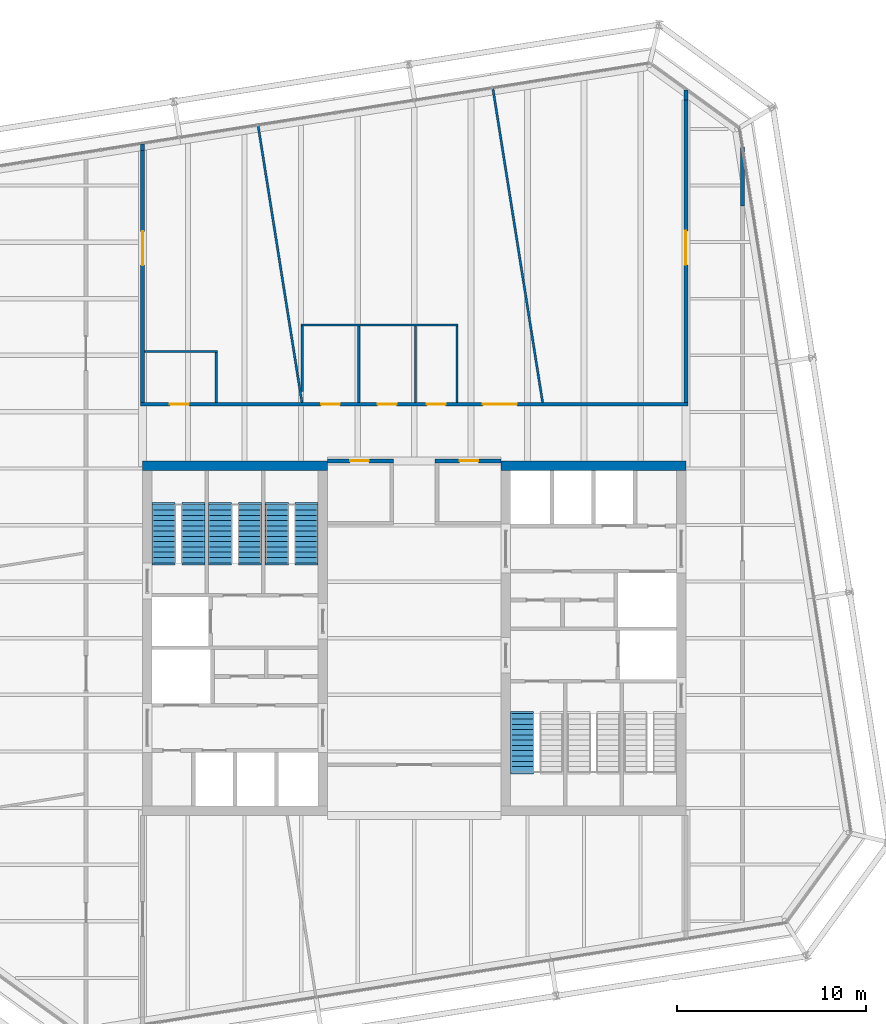
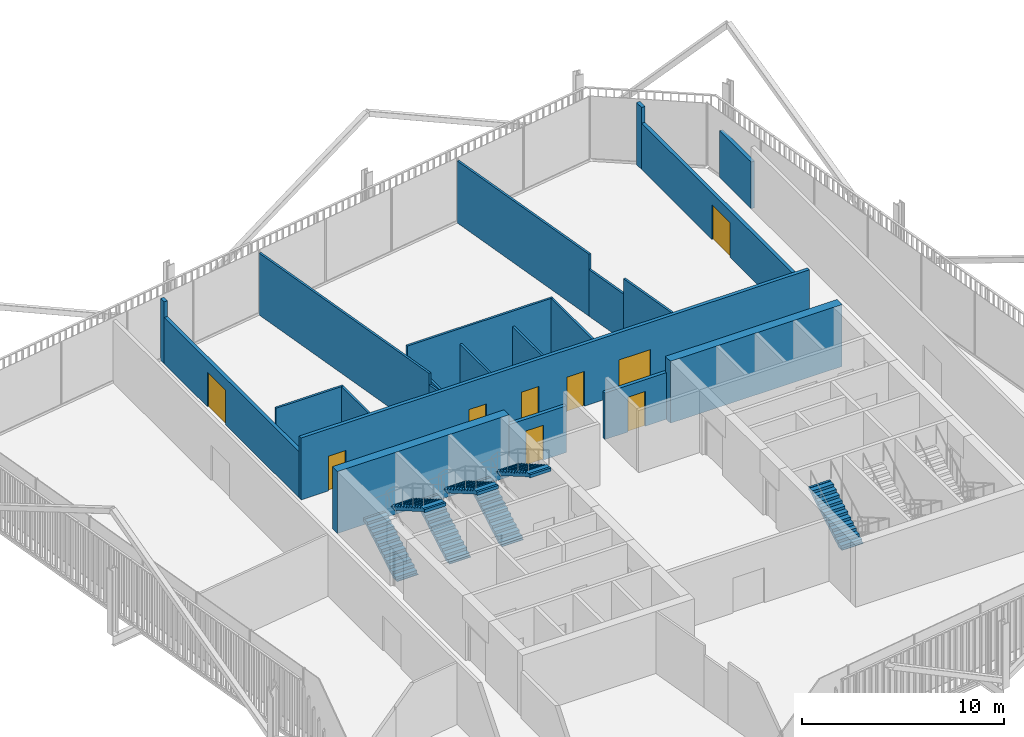
# One storey, part 19 of 21: 22 walls, 9 doors, 7 stair flights, 9 openings, 4 elements without a shape of their own.
"""IFC4 building model written with IfcOpenShell, lengths in metres."""

from ifc_helpers import new_model, si_unit, direction, frame, frame_2d, origin, place, context, subcontext, project, spatial, polyline, rectangle, outline, extrude, material, layer, layer_set, type_object, element, fill, aggregate, save


model = new_model("IFC4")

# Units and contexts
model_context = context("Model", 3, precision=1e-05, world=origin(), true_north=direction((0.0, 1.0)))
body_context = subcontext(model_context, "Body", "Model", "MODEL_VIEW")
ifc_project = project(units=[si_unit("LENGTHUNIT", "METRE"), si_unit("AREAUNIT", "SQUARE_METRE"), si_unit("VOLUMEUNIT", "CUBIC_METRE"), si_unit("PLANEANGLEUNIT", "RADIAN"), si_unit("MASSUNIT", "GRAM", prefix="KILO")], contexts=[model_context])

# Site, building, storey
site_placement = place(None, origin())
site = spatial("IfcSite", under=ifc_project, at=site_placement, CompositionType="ELEMENT")
building_placement = place(site_placement, origin())
building = spatial("IfcBuilding", under=site, at=building_placement, Name="Millrace Tower", CompositionType="ELEMENT")
storey_placement = place(building_placement, frame((0.0, 0.0, 212.5)))
storey = spatial("IfcBuildingStorey", under=building, at=storey_placement, Name="L48", CompositionType="ELEMENT", Elevation=212.5)

# Walls
ifc_material_1 = material(Name="Concrete C60", Category="concrete")
ifc_layer_1 = layer(ifc_material_1, 0.5)
ifc_layer_set_1 = layer_set([ifc_layer_1], Name="Concrete C60")
wall_type_1 = type_object("IfcWallType", Name="Core wall 500 Concrete C60", PredefinedType="SHEAR", material=ifc_layer_set_1)
for number, where, z_axis, x_axis, name in (
    (1, (-14.39990234375, 9.14990234375, 0.0), (0.0, 0.0, 1.0), (1.0, 0.0, 0.0), "Core wall W L48"),
    (2, (14.39990234375, 9.14990234375, 0.0), (0.0, 0.0, 1.0), (-1.0, 0.0, 0.0), "Core wall E L48"),
):
    element("IfcWall", number, at=place(storey_placement, frame(where, z_axis=z_axis, x_axis=x_axis)), inside=storey, type_object=wall_type_1, Name=name, PredefinedType="SHEAR", context=body_context, shape_type="SweptSolid", body=[
        extrude(rectangle(XDim=9.7998046875, YDim=0.5, at=frame_2d((4.89990234375, 0.0))), origin(), (0.0, 0.0, 1.0), 3.739990234375),
    ])

# Wall, opening, door
ifc_material_2 = material(Name="Masonry partition, fire-rated", Category="masonry")
ifc_layer_2 = layer(ifc_material_2, 0.199951171875)
ifc_layer_set_2 = layer_set([ifc_layer_2], Name="Masonry partition, fire-rated")
wall_type_2 = type_object("IfcWallType", Name="Corridor wall 200", PredefinedType="PARTITIONING", material=ifc_layer_set_2)
wall_1_placement = place(storey_placement, frame((-4.60009765625, 9.39990234375, 0.0), z_axis=(0.0, 0.0, 1.0), x_axis=(1.0, 0.0, 0.0)))
wall_1 = element("IfcWall", 3, at=wall_1_placement, inside=storey, type_object=wall_type_2, Name="Corridor wall L48", PredefinedType="PARTITIONING", context=body_context, shape_type="SweptSolid", body=[
    extrude(rectangle(XDim=3.5, YDim=0.199951171875, at=frame_2d((1.75, 0.0))), origin(), (0.0, 0.0, 1.0), 2.81298828125),
])
opening_1_placement = place(wall_1_placement, frame((1.199951171875, 0.0, 0.0)))
opening_1 = element("IfcOpeningElement", 4, at=opening_1_placement, cuts=wall_1, Name="Opening 48-P001", PredefinedType="OPENING", context=body_context, shape_type="SweptSolid", body=[
    extrude(rectangle(XDim=1.0, YDim=2.10009765625, at=frame_2d((0.5, 1.050048828125))), frame((0.0, 0.10986328125, 0.0), z_axis=(0.0, -1.0, 0.0), x_axis=(1.0, 0.0, 0.0)), (0.0, 0.0, 1.0), 0.219970703125),
])
ifc_material_3 = material(Name="Steel door set, fire-rated", Category="steel")
door_type_1 = type_object("IfcDoorType", Name="Corridor door 1000 x 2100", OperationType="SINGLE_SWING_LEFT", PredefinedType="DOOR", material=ifc_material_3)
door_1_placement = place(opening_1_placement, frame((1.0, 0.0, 0.0), z_axis=(0.0, 0.0, 1.0), x_axis=(-1.0, 0.0, 0.0)))
door_1 = element("IfcDoor", 5, at=door_1_placement, inside=storey, type_object=door_type_1, Name="Door 48-P001", OperationType="SINGLE_SWING_LEFT", OverallHeight=2.10009765625, OverallWidth=1.0, PredefinedType="DOOR", context=body_context, shape_type="SweptSolid", body=[
    extrude(rectangle(XDim=1.0, YDim=2.10009765625, at=frame_2d((0.5, 1.050048828125))), frame((0.0, 0.02490234375, 0.0), z_axis=(0.0, -1.0, 0.0), x_axis=(1.0, 0.0, 0.0)), (0.0, 0.0, 1.0), 0.050048828125),
])
fill(opening_1, door_1)

wall_2_placement = place(storey_placement, frame((1.10009765625, 9.39990234375, 0.0), z_axis=(0.0, 0.0, 1.0), x_axis=(1.0, 0.0, 0.0)))
wall_2 = element("IfcWall", 6, at=wall_2_placement, inside=storey, type_object=wall_type_2, Name="Corridor wall L48", PredefinedType="PARTITIONING", context=body_context, shape_type="SweptSolid", body=[
    extrude(rectangle(XDim=3.5, YDim=0.199951171875, at=frame_2d((1.75, 0.0))), origin(), (0.0, 0.0, 1.0), 2.81298828125),
])
opening_2_placement = place(wall_2_placement, frame((1.300048828125, 0.0, 0.0)))
opening_2 = element("IfcOpeningElement", 7, at=opening_2_placement, cuts=wall_2, Name="Opening 48-P002", PredefinedType="OPENING", context=body_context, shape_type="SweptSolid", body=[
    extrude(rectangle(XDim=1.0, YDim=2.10009765625, at=frame_2d((0.5, 1.050048828125))), frame((0.0, 0.10986328125, 0.0), z_axis=(0.0, -1.0, 0.0), x_axis=(1.0, 0.0, 0.0)), (0.0, 0.0, 1.0), 0.219970703125),
])
door_2_placement = place(opening_2_placement, frame((1.0, 0.0, 0.0), z_axis=(0.0, 0.0, 1.0), x_axis=(-1.0, 0.0, 0.0)))
door_2 = element("IfcDoor", 8, at=door_2_placement, inside=storey, type_object=door_type_1, Name="Door 48-P002", OperationType="SINGLE_SWING_LEFT", OverallHeight=2.10009765625, OverallWidth=1.0, PredefinedType="DOOR", context=body_context, shape_type="SweptSolid", body=[
    extrude(rectangle(XDim=1.0, YDim=2.10009765625, at=frame_2d((0.5, 1.050048828125))), frame((0.0, 0.02490234375, 0.0), z_axis=(0.0, -1.0, 0.0), x_axis=(1.0, 0.0, 0.0)), (0.0, 0.0, 1.0), 0.050048828125),
])
fill(opening_2, door_2)

# Wall, openings, doors
wall_3_placement = place(storey_placement, frame((-14.5, 12.39990234375, 0.0), z_axis=(0.0, 0.0, 1.0), x_axis=(1.0, 0.0, 0.0)))
wall_3 = element("IfcWall", 9, at=wall_3_placement, inside=storey, type_object=wall_type_2, Name="Corridor wall L48", PredefinedType="PARTITIONING", context=body_context, shape_type="SweptSolid", body=[
    extrude(rectangle(XDim=29.0, YDim=0.199951171875, at=frame_2d((14.5, 0.0))), origin(), (0.0, 0.0, 1.0), 3.739990234375),
])
opening_3_placement = place(wall_3_placement, frame((1.550048828125, 0.0, 0.0)))
opening_3 = element("IfcOpeningElement", 10, at=opening_3_placement, cuts=wall_3, Name="Opening 48-P007", PredefinedType="OPENING", context=body_context, shape_type="SweptSolid", body=[
    extrude(rectangle(XDim=1.0, YDim=2.10009765625, at=frame_2d((0.5, 1.050048828125))), frame((0.0, 0.10986328125, 0.0), z_axis=(0.0, -1.0, 0.0), x_axis=(1.0, 0.0, 0.0)), (0.0, 0.0, 1.0), 0.219970703125),
])
opening_4_placement = place(wall_3_placement, frame((18.140380859375, 0.0, 0.0)))
opening_4 = element("IfcOpeningElement", 11, at=opening_4_placement, cuts=wall_3, Name="Opening 48-P008", PredefinedType="OPENING", context=body_context, shape_type="SweptSolid", body=[
    extrude(rectangle(XDim=1.800048828125, YDim=2.10009765625, at=frame_2d((0.89990234375, 1.050048828125))), frame((0.0, 0.10986328125, 0.0), z_axis=(0.0, -1.0, 0.0), x_axis=(1.0, 0.0, 0.0)), (0.0, 0.0, 1.0), 0.219970703125),
])
opening_5_placement = place(wall_3_placement, frame((9.56201171875, 0.0, 0.0)))
opening_5 = element("IfcOpeningElement", 12, at=opening_5_placement, cuts=wall_3, Name="Opening 48-P009", PredefinedType="OPENING", context=body_context, shape_type="SweptSolid", body=[
    extrude(rectangle(XDim=1.0, YDim=2.10009765625, at=frame_2d((0.5, 1.050048828125))), frame((0.0, 0.10986328125, 0.0), z_axis=(0.0, -1.0, 0.0), x_axis=(1.0, 0.0, 0.0)), (0.0, 0.0, 1.0), 0.219970703125),
])
opening_6_placement = place(wall_3_placement, frame((12.56201171875, 0.0, 0.0)))
opening_6 = element("IfcOpeningElement", 13, at=opening_6_placement, cuts=wall_3, Name="Opening 48-P010", PredefinedType="OPENING", context=body_context, shape_type="SweptSolid", body=[
    extrude(rectangle(XDim=1.0, YDim=2.10009765625, at=frame_2d((0.5, 1.050048828125))), frame((0.0, 0.10986328125, 0.0), z_axis=(0.0, -1.0, 0.0), x_axis=(1.0, 0.0, 0.0)), (0.0, 0.0, 1.0), 0.219970703125),
])
opening_7_placement = place(wall_3_placement, frame((15.162109375, 0.0, 0.0)))
opening_7 = element("IfcOpeningElement", 14, at=opening_7_placement, cuts=wall_3, Name="Opening 48-P011", PredefinedType="OPENING", context=body_context, shape_type="SweptSolid", body=[
    extrude(rectangle(XDim=1.0, YDim=2.10009765625, at=frame_2d((0.5, 1.050048828125))), frame((0.0, 0.10986328125, 0.0), z_axis=(0.0, -1.0, 0.0), x_axis=(1.0, 0.0, 0.0)), (0.0, 0.0, 1.0), 0.219970703125),
])
door_3_placement = place(opening_3_placement, origin())
door_3 = element("IfcDoor", 15, at=door_3_placement, inside=storey, type_object=door_type_1, Name="Door 48-P007", OperationType="SINGLE_SWING_LEFT", OverallHeight=2.10009765625, OverallWidth=1.0, PredefinedType="DOOR", context=body_context, shape_type="SweptSolid", body=[
    extrude(rectangle(XDim=1.0, YDim=2.10009765625, at=frame_2d((0.5, 1.050048828125))), frame((0.0, 0.02490234375, 0.0), z_axis=(0.0, -1.0, 0.0), x_axis=(1.0, 0.0, 0.0)), (0.0, 0.0, 1.0), 0.050048828125),
])
fill(opening_3, door_3)
door_4_placement = place(opening_5_placement, origin())
door_4 = element("IfcDoor", 16, at=door_4_placement, inside=storey, type_object=door_type_1, Name="Door 48-P009", OperationType="SINGLE_SWING_LEFT", OverallHeight=2.10009765625, OverallWidth=1.0, PredefinedType="DOOR", context=body_context, shape_type="SweptSolid", body=[
    extrude(rectangle(XDim=1.0, YDim=2.10009765625, at=frame_2d((0.5, 1.050048828125))), frame((0.0, 0.02490234375, 0.0), z_axis=(0.0, -1.0, 0.0), x_axis=(1.0, 0.0, 0.0)), (0.0, 0.0, 1.0), 0.050048828125),
])
fill(opening_5, door_4)
door_5_placement = place(opening_6_placement, origin())
door_5 = element("IfcDoor", 17, at=door_5_placement, inside=storey, type_object=door_type_1, Name="Door 48-P010", OperationType="SINGLE_SWING_LEFT", OverallHeight=2.10009765625, OverallWidth=1.0, PredefinedType="DOOR", context=body_context, shape_type="SweptSolid", body=[
    extrude(rectangle(XDim=1.0, YDim=2.10009765625, at=frame_2d((0.5, 1.050048828125))), frame((0.0, 0.02490234375, 0.0), z_axis=(0.0, -1.0, 0.0), x_axis=(1.0, 0.0, 0.0)), (0.0, 0.0, 1.0), 0.050048828125),
])
fill(opening_6, door_5)
door_6_placement = place(opening_7_placement, origin())
door_6 = element("IfcDoor", 18, at=door_6_placement, inside=storey, type_object=door_type_1, Name="Door 48-P011", OperationType="SINGLE_SWING_RIGHT", OverallHeight=2.10009765625, OverallWidth=1.0, PredefinedType="DOOR", context=body_context, shape_type="SweptSolid", body=[
    extrude(rectangle(XDim=1.0, YDim=2.10009765625, at=frame_2d((0.5, 1.050048828125))), frame((0.0, 0.02490234375, 0.0), z_axis=(0.0, -1.0, 0.0), x_axis=(1.0, 0.0, 0.0)), (0.0, 0.0, 1.0), 0.050048828125),
])
fill(opening_7, door_6)
ifc_material_4 = material(Name="Steel door set, fire-rated", Category="steel")
door_type_2 = type_object("IfcDoorType", Name="Corridor door 1800 x 2100", OperationType="DOUBLE_DOOR_SINGLE_SWING", PredefinedType="DOOR", material=ifc_material_4)
door_7_placement = place(opening_4_placement, frame((1.800048828125, 0.0, 0.0), z_axis=(0.0, 0.0, 1.0), x_axis=(-1.0, 0.0, 0.0)))
door_7 = element("IfcDoor", 19, at=door_7_placement, inside=storey, type_object=door_type_2, Name="Door 48-P008", OperationType="DOUBLE_DOOR_SINGLE_SWING", OverallHeight=2.10009765625, OverallWidth=1.800048828125, PredefinedType="DOOR", context=body_context, shape_type="SweptSolid", body=[
    extrude(rectangle(XDim=1.800048828125, YDim=2.10009765625, at=frame_2d((0.89990234375, 1.050048828125))), frame((0.0, 0.02490234375, 0.0), z_axis=(0.0, -1.0, 0.0), x_axis=(1.0, 0.0, 0.0)), (0.0, 0.0, 1.0), 0.050048828125),
])
fill(opening_4, door_7)

# Wall
wall_4_placement = place(storey_placement, frame((17.39990234375, 22.9052734375, 0.0), z_axis=(0.0, 0.0, 1.0), x_axis=(0.0, 1.0, 0.0)))
element("IfcWall", 20, at=wall_4_placement, inside=storey, type_object=wall_type_2, Name="Corridor wall L48", PredefinedType="PARTITIONING", context=body_context, shape_type="SweptSolid", body=[
    extrude(rectangle(XDim=3.137451171875, YDim=0.199951171875, at=frame_2d((1.56884765625, 0.0))), origin(), (0.0, 0.0, 1.0), 2.81298828125),
])

# Wall, opening, door
wall_5_placement = place(storey_placement, frame((14.39990234375, 12.5, 0.0), z_axis=(0.0, 0.0, 1.0), x_axis=(0.0, 1.0, 0.0)))
wall_5 = element("IfcWall", 21, at=wall_5_placement, inside=storey, type_object=wall_type_2, Name="Corridor wall L48", PredefinedType="PARTITIONING", context=body_context, shape_type="SweptSolid", body=[
    extrude(rectangle(XDim=16.040771484375, YDim=0.199951171875, at=frame_2d((8.0205078125, 0.0))), origin(), (0.0, 0.0, 1.0), 2.79248046875),
])
opening_8_placement = place(wall_5_placement, frame((7.298095703125, 0.0, 0.0)))
opening_8 = element("IfcOpeningElement", 22, at=opening_8_placement, cuts=wall_5, Name="Opening 48-P012", PredefinedType="OPENING", context=body_context, shape_type="SweptSolid", body=[
    extrude(rectangle(XDim=1.800048828125, YDim=2.10009765625, at=frame_2d((0.89990234375, 1.050048828125))), frame((0.0, 0.10986328125, 0.0), z_axis=(0.0, -1.0, 0.0), x_axis=(1.0, 0.0, 0.0)), (0.0, 0.0, 1.0), 0.219970703125),
])
door_8_placement = place(opening_8_placement, frame((1.800048828125, 0.0, 0.0), z_axis=(0.0, 0.0, 1.0), x_axis=(-1.0, 0.0, 0.0)))
door_8 = element("IfcDoor", 23, at=door_8_placement, inside=storey, type_object=door_type_2, Name="Door 48-P012", OperationType="DOUBLE_DOOR_SINGLE_SWING", OverallHeight=2.10009765625, OverallWidth=1.800048828125, PredefinedType="DOOR", context=body_context, shape_type="SweptSolid", body=[
    extrude(rectangle(XDim=1.800048828125, YDim=2.10009765625, at=frame_2d((0.89990234375, 1.050048828125))), frame((0.0, 0.02490234375, 0.0), z_axis=(0.0, -1.0, 0.0), x_axis=(1.0, 0.0, 0.0)), (0.0, 0.0, 1.0), 0.050048828125),
])
fill(opening_8, door_8)

# Wall
wall_6_placement = place(storey_placement, frame((14.39990234375, 28.540771484375, 0.0), z_axis=(0.0, 0.0, 1.0), x_axis=(0.0, 1.0, 0.0)))
element("IfcWall", 24, at=wall_6_placement, inside=storey, type_object=wall_type_2, Name="Corridor wall L48", PredefinedType="PARTITIONING", context=body_context, shape_type="SweptSolid", body=[
    extrude(rectangle(XDim=0.51708984375, YDim=0.199951171875, at=frame_2d((0.258544921875, 0.0))), origin(), (0.0, 0.0, 1.0), 3.739990234375),
])

# Wall, opening, door
wall_7_placement = place(storey_placement, frame((-14.39990234375, 12.5, 0.0), z_axis=(0.0, 0.0, 1.0), x_axis=(0.0, 1.0, 0.0)))
wall_7 = element("IfcWall", 25, at=wall_7_placement, inside=storey, type_object=wall_type_2, Name="Corridor wall L48", PredefinedType="PARTITIONING", context=body_context, shape_type="SweptSolid", body=[
    extrude(rectangle(XDim=13.3486328125, YDim=0.199951171875, at=frame_2d((6.67431640625, 0.0))), origin(), (0.0, 0.0, 1.0), 2.79248046875),
])
opening_9_placement = place(wall_7_placement, frame((7.27392578125, 0.0, 0.0)))
opening_9 = element("IfcOpeningElement", 26, at=opening_9_placement, cuts=wall_7, Name="Opening 48-P006", PredefinedType="OPENING", context=body_context, shape_type="SweptSolid", body=[
    extrude(rectangle(XDim=1.800048828125, YDim=2.10009765625, at=frame_2d((0.89990234375, 1.050048828125))), frame((0.0, 0.10986328125, 0.0), z_axis=(0.0, -1.0, 0.0), x_axis=(1.0, 0.0, 0.0)), (0.0, 0.0, 1.0), 0.219970703125),
])
door_9_placement = place(opening_9_placement, frame((1.800048828125, 0.0, 0.0), z_axis=(0.0, 0.0, 1.0), x_axis=(-1.0, 0.0, 0.0)))
door_9 = element("IfcDoor", 27, at=door_9_placement, inside=storey, type_object=door_type_2, Name="Door 48-P006", OperationType="DOUBLE_DOOR_SINGLE_SWING", OverallHeight=2.10009765625, OverallWidth=1.800048828125, PredefinedType="DOOR", context=body_context, shape_type="SweptSolid", body=[
    extrude(rectangle(XDim=1.800048828125, YDim=2.10009765625, at=frame_2d((0.89990234375, 1.050048828125))), frame((0.0, 0.02490234375, 0.0), z_axis=(0.0, -1.0, 0.0), x_axis=(1.0, 0.0, 0.0)), (0.0, 0.0, 1.0), 0.050048828125),
])
fill(opening_9, door_9)

# Walls
wall_8_placement = place(storey_placement, frame((-14.39990234375, 25.8486328125, 0.0), z_axis=(0.0, 0.0, 1.0), x_axis=(0.0, 1.0, 0.0)))
element("IfcWall", 28, at=wall_8_placement, inside=storey, type_object=wall_type_2, Name="Corridor wall L48", PredefinedType="PARTITIONING", context=body_context, shape_type="SweptSolid", body=[
    extrude(rectangle(XDim=0.349609375, YDim=0.199951171875, at=frame_2d((0.1748046875, 0.0))), origin(), (0.0, 0.0, 1.0), 3.739990234375),
])
ifc_material_5 = material(Name="Gypsum board partition")
ifc_layer_3 = layer(ifc_material_5, 0.1201171875)
ifc_layer_set_3 = layer_set([ifc_layer_3], Name="Gypsum board partition")
wall_type_3 = type_object("IfcWallType", Name="Partition wall 120", PredefinedType="PARTITIONING", material=ifc_layer_set_3)
wall_9_placement = place(storey_placement, frame((-8.27685546875, 27.16796875, 0.0), z_axis=(0.0, 0.0, 1.0), x_axis=(0.156426233908, -0.987689644243, 0.0)))
element("IfcWall", 29, at=wall_9_placement, inside=storey, type_object=wall_type_3, Name="Partition wall L48", PredefinedType="PARTITIONING", context=body_context, shape_type="SweptSolid", body=[
    extrude(rectangle(XDim=13.356689453125, YDim=0.1201171875, at=frame_2d((6.67822265625, 0.0))), origin(), (0.0, 0.0, 1.0), 3.739990234375),
])
wall_10_placement = place(storey_placement, frame((-6.1875, 13.9755859375, 0.0), z_axis=(0.0, 0.0, 1.0), x_axis=(0.156423716504, -0.987690042936, 0.0)))
element("IfcWall", 30, at=wall_10_placement, inside=storey, type_object=wall_type_3, Name="Partition wall L48", PredefinedType="PARTITIONING", context=body_context, shape_type="SweptSolid", body=[
    extrude(rectangle(XDim=1.4951171875, YDim=0.1201171875, at=frame_2d((0.74755859375, 0.0))), origin(), (0.0, 0.0, 1.0), 3.046630859375),
])
wall_11_placement = place(storey_placement, frame((4.168212890625, 29.13916015625, 0.0), z_axis=(0.0, 0.0, 1.0), x_axis=(0.156414369749, -0.987691523167, 0.0)))
element("IfcWall", 31, at=wall_11_placement, inside=storey, type_object=wall_type_3, Name="Partition wall L48", PredefinedType="PARTITIONING", context=body_context, shape_type="SweptSolid", body=[
    extrude(rectangle(XDim=10.35009765625, YDim=0.1201171875, at=frame_2d((5.175048828125, 0.0))), origin(), (0.0, 0.0, 1.0), 3.739990234375),
])
wall_12_placement = place(storey_placement, frame((5.787109375, 18.91650390625, 0.0), z_axis=(0.0, 0.0, 1.0), x_axis=(0.156381577148, -0.987696715763, 0.0)))
element("IfcWall", 32, at=wall_12_placement, inside=storey, type_object=wall_type_3, Name="Partition wall L48", PredefinedType="PARTITIONING", context=body_context, shape_type="SweptSolid", body=[
    extrude(rectangle(XDim=2.72265625, YDim=0.1201171875, at=frame_2d((1.361328125, 0.0))), origin(), (0.0, 0.0, 1.0), 2.81298828125),
])
wall_13_placement = place(storey_placement, frame((6.212890625, 16.227294921875, 0.0), z_axis=(0.0, 0.0, 1.0), x_axis=(0.15644410697, -0.987686813415, 0.0)))
element("IfcWall", 33, at=wall_13_placement, inside=storey, type_object=wall_type_3, Name="Partition wall L48", PredefinedType="PARTITIONING", context=body_context, shape_type="SweptSolid", body=[
    extrude(rectangle(XDim=3.77490234375, YDim=0.1201171875, at=frame_2d((1.887451171875, 0.0))), origin(), (0.0, 0.0, 1.0), 3.739990234375),
])
wall_14_placement = place(storey_placement, frame((-14.300048828125, 15.199951171875, 0.0), z_axis=(0.0, 0.0, 1.0), x_axis=(1.0, 0.0, 0.0)))
element("IfcWall", 34, at=wall_14_placement, inside=storey, type_object=wall_type_3, Name="Partition wall L48", PredefinedType="PARTITIONING", context=body_context, shape_type="SweptSolid", body=[
    extrude(rectangle(XDim=3.860107421875, YDim=0.1201171875, at=frame_2d((1.93017578125, 0.0))), origin(), (0.0, 0.0, 1.0), 3.739990234375),
])
wall_15_placement = place(storey_placement, frame((-5.998046875, 16.60009765625, 0.0), z_axis=(0.0, 0.0, 1.0), x_axis=(1.0, 0.0, 0.0)))
element("IfcWall", 35, at=wall_15_placement, inside=storey, type_object=wall_type_3, Name="Partition wall L48", PredefinedType="PARTITIONING", context=body_context, shape_type="SweptSolid", body=[
    extrude(rectangle(XDim=8.320068359375, YDim=0.1201171875, at=frame_2d((4.16015625, 0.0))), origin(), (0.0, 0.0, 1.0), 3.739990234375),
])
wall_16_placement = place(storey_placement, frame((2.261962890625, 12.5, 0.0), z_axis=(0.0, 0.0, 1.0), x_axis=(0.0, 1.0, 0.0)))
element("IfcWall", 36, at=wall_16_placement, inside=storey, type_object=wall_type_3, Name="Partition wall L48", PredefinedType="PARTITIONING", context=body_context, shape_type="SweptSolid", body=[
    extrude(rectangle(XDim=4.0400390625, YDim=0.1201171875, at=frame_2d((2.02001953125, 0.0))), origin(), (0.0, 0.0, 1.0), 3.739990234375),
])
for number, where, z_axis, x_axis, name in (
    (37, (0.06201171875, 12.5, 0.0), (0.0, 0.0, 1.0), (0.0, 1.0, 0.0), "Partition wall L48"),
    (38, (-2.93798828125, 12.5, 0.0), (0.0, 0.0, 1.0), (0.0, 1.0, 0.0), "Partition wall L48"),
):
    element("IfcWall", number, at=place(storey_placement, frame(where, z_axis=z_axis, x_axis=x_axis)), inside=storey, type_object=wall_type_3, Name=name, PredefinedType="PARTITIONING", context=body_context, shape_type="SweptSolid", body=[
        extrude(rectangle(XDim=4.0400390625, YDim=0.1201171875, at=frame_2d((2.02001953125, 0.0))), origin(), (0.0, 0.0, 1.0), 2.81298828125),
    ])
wall_17_placement = place(storey_placement, frame((-5.93798828125, 13.067626953125, 0.0), z_axis=(0.0, 0.0, 1.0), x_axis=(0.0, 1.0, 0.0)))
element("IfcWall", 39, at=wall_17_placement, inside=storey, type_object=wall_type_3, Name="Partition wall L48", PredefinedType="PARTITIONING", context=body_context, shape_type="SweptSolid", body=[
    extrude(rectangle(XDim=3.472412109375, YDim=0.1201171875, at=frame_2d((1.736328125, 0.0))), origin(), (0.0, 0.0, 1.0), 3.046630859375),
])
wall_18_placement = place(storey_placement, frame((-10.5, 12.5, 0.0), z_axis=(0.0, 0.0, 1.0), x_axis=(0.0, 1.0, 0.0)))
element("IfcWall", 40, at=wall_18_placement, inside=storey, type_object=wall_type_3, Name="Partition wall L48", PredefinedType="PARTITIONING", context=body_context, shape_type="SweptSolid", body=[
    extrude(rectangle(XDim=2.639892578125, YDim=0.1201171875, at=frame_2d((1.31982421875, 0.0))), origin(), (0.0, 0.0, 1.0), 3.739990234375),
])

# Stair, stair flights
ifc_material_6 = material(Name="Concrete C35", Category="concrete")
stair_type = type_object("IfcStairType", Name="Exit stair", PredefinedType="HALF_TURN_STAIR", material=ifc_material_6)
placement = place(storey_placement, origin())
stair_1 = element("IfcStair", 41, at=placement, inside=storey, type_object=stair_type, Name="Stair 1 W L48", PredefinedType="HALF_TURN_STAIR")
ifc_material_7 = material(Name="Concrete C35", Category="concrete")
stair_flight_type = type_object("IfcStairFlightType", Name="Exit stair flight", PredefinedType="STRAIGHT", material=ifc_material_7)
stair_flight_1_placement = place(storey_placement, frame((-13.2900390625, 4.0, 0.0), z_axis=(0.0, 0.0, 1.0), x_axis=(0.0, 1.0, 0.0)))
stair_flight_1 = element("IfcStairFlight", 42, at=stair_flight_1_placement, type_object=stair_flight_type, Name="ST12 flight 1", NumberOfRisers=12, NumberOfTreads=11, PredefinedType="STRAIGHT", RiserHeight=0.1625, TreadLength=0.28, context=body_context, shape_type="SweptSolid", body=[
    extrude(outline(polyline([(-0.1201171875, -0.0400390625), (-0.1201171875, 0.0), (0.0, 0.0), (0.0, 0.16259765625), (0.280029296875, 0.16259765625), (0.280029296875, 0.324951171875), (0.56005859375, 0.324951171875), (0.56005859375, 0.487548828125), (0.840087890625, 0.487548828125), (0.840087890625, 0.64990234375), (1.1201171875, 0.64990234375), (1.1201171875, 0.8125), (1.39990234375, 0.8125), (1.39990234375, 0.97509765625), (1.679931640625, 0.97509765625), (1.679931640625, 1.137451171875), (1.9599609375, 1.137451171875), (1.9599609375, 1.300048828125), (2.239990234375, 1.300048828125), (2.239990234375, 1.46240234375), (2.52001953125, 1.46240234375), (2.52001953125, 1.625), (2.800048828125, 1.625), (2.800048828125, 1.78759765625), (3.080078125, 1.78759765625), (3.080078125, 1.8076171875), (3.199951171875, 1.8076171875), (3.199951171875, 1.6142578125), (3.080078125, 1.6142578125), (0.298583984375, 0.0), (0.298583984375, -0.0400390625), (-0.1201171875, -0.0400390625)])), frame((0.0, 0.60986328125, 0.0), z_axis=(0.0, -1.0, 0.0), x_axis=(1.0, 0.0, 0.0)), (0.0, 0.0, 1.0), 1.219970703125),
])
stair_flight_2_placement = place(storey_placement, frame((-11.7099609375, 7.080078125, 1.949951171875), z_axis=(0.0, 0.0, 1.0), x_axis=(0.0, -1.0, 0.0)))
stair_flight_2 = element("IfcStairFlight", 43, at=stair_flight_2_placement, type_object=stair_flight_type, Name="ST12 flight 2", NumberOfRisers=12, NumberOfTreads=11, PredefinedType="STRAIGHT", RiserHeight=0.1625, TreadLength=0.28, context=body_context, shape_type="SweptSolid", body=[
    extrude(outline(polyline([(-0.1201171875, -0.0400390625), (-0.1201171875, 0.0), (0.0, 0.0), (0.0, 0.16259765625), (0.280029296875, 0.16259765625), (0.280029296875, 0.324951171875), (0.56005859375, 0.324951171875), (0.56005859375, 0.487548828125), (0.840087890625, 0.487548828125), (0.840087890625, 0.64990234375), (1.1201171875, 0.64990234375), (1.1201171875, 0.8125), (1.39990234375, 0.8125), (1.39990234375, 0.97509765625), (1.679931640625, 0.97509765625), (1.679931640625, 1.137451171875), (1.9599609375, 1.137451171875), (1.9599609375, 1.300048828125), (2.239990234375, 1.300048828125), (2.239990234375, 1.46240234375), (2.52001953125, 1.46240234375), (2.52001953125, 1.625), (2.800048828125, 1.625), (2.800048828125, 1.78759765625), (3.080078125, 1.78759765625), (3.080078125, 1.8076171875), (3.199951171875, 1.8076171875), (3.199951171875, 1.6142578125), (3.080078125, 1.6142578125), (0.298583984375, 0.0), (0.298583984375, -0.0400390625), (-0.1201171875, -0.0400390625)])), frame((0.0, 0.60986328125, 0.0), z_axis=(0.0, -1.0, 0.0), x_axis=(1.0, 0.0, 0.0)), (0.0, 0.0, 1.0), 1.219970703125),
])
aggregate(stair_1, [stair_flight_1, stair_flight_2])

stair_2 = element("IfcStair", 44, at=placement, inside=storey, type_object=stair_type, Name="Stair 2 W L48", PredefinedType="HALF_TURN_STAIR")
stair_flight_3_placement = place(storey_placement, frame((-10.2900390625, 4.0, 0.0), z_axis=(0.0, 0.0, 1.0), x_axis=(0.0, 1.0, 0.0)))
stair_flight_3 = element("IfcStairFlight", 45, at=stair_flight_3_placement, type_object=stair_flight_type, Name="ST12 flight 1", NumberOfRisers=12, NumberOfTreads=11, PredefinedType="STRAIGHT", RiserHeight=0.1625, TreadLength=0.28, context=body_context, shape_type="SweptSolid", body=[
    extrude(outline(polyline([(-0.1201171875, -0.0400390625), (-0.1201171875, 0.0), (0.0, 0.0), (0.0, 0.16259765625), (0.280029296875, 0.16259765625), (0.280029296875, 0.324951171875), (0.56005859375, 0.324951171875), (0.56005859375, 0.487548828125), (0.840087890625, 0.487548828125), (0.840087890625, 0.64990234375), (1.1201171875, 0.64990234375), (1.1201171875, 0.8125), (1.39990234375, 0.8125), (1.39990234375, 0.97509765625), (1.679931640625, 0.97509765625), (1.679931640625, 1.137451171875), (1.9599609375, 1.137451171875), (1.9599609375, 1.300048828125), (2.239990234375, 1.300048828125), (2.239990234375, 1.46240234375), (2.52001953125, 1.46240234375), (2.52001953125, 1.625), (2.800048828125, 1.625), (2.800048828125, 1.78759765625), (3.080078125, 1.78759765625), (3.080078125, 1.8076171875), (3.199951171875, 1.8076171875), (3.199951171875, 1.6142578125), (3.080078125, 1.6142578125), (0.298583984375, 0.0), (0.298583984375, -0.0400390625), (-0.1201171875, -0.0400390625)])), frame((0.0, 0.60986328125, 0.0), z_axis=(0.0, -1.0, 0.0), x_axis=(1.0, 0.0, 0.0)), (0.0, 0.0, 1.0), 1.219970703125),
])
stair_flight_4_placement = place(storey_placement, frame((-8.7099609375, 7.080078125, 1.949951171875), z_axis=(0.0, 0.0, 1.0), x_axis=(0.0, -1.0, 0.0)))
stair_flight_4 = element("IfcStairFlight", 46, at=stair_flight_4_placement, type_object=stair_flight_type, Name="ST12 flight 2", NumberOfRisers=12, NumberOfTreads=11, PredefinedType="STRAIGHT", RiserHeight=0.1625, TreadLength=0.28, context=body_context, shape_type="SweptSolid", body=[
    extrude(outline(polyline([(-0.1201171875, -0.0400390625), (-0.1201171875, 0.0), (0.0, 0.0), (0.0, 0.16259765625), (0.280029296875, 0.16259765625), (0.280029296875, 0.324951171875), (0.56005859375, 0.324951171875), (0.56005859375, 0.487548828125), (0.840087890625, 0.487548828125), (0.840087890625, 0.64990234375), (1.1201171875, 0.64990234375), (1.1201171875, 0.8125), (1.39990234375, 0.8125), (1.39990234375, 0.97509765625), (1.679931640625, 0.97509765625), (1.679931640625, 1.137451171875), (1.9599609375, 1.137451171875), (1.9599609375, 1.300048828125), (2.239990234375, 1.300048828125), (2.239990234375, 1.46240234375), (2.52001953125, 1.46240234375), (2.52001953125, 1.625), (2.800048828125, 1.625), (2.800048828125, 1.78759765625), (3.080078125, 1.78759765625), (3.080078125, 1.8076171875), (3.199951171875, 1.8076171875), (3.199951171875, 1.6142578125), (3.080078125, 1.6142578125), (0.298583984375, 0.0), (0.298583984375, -0.0400390625), (-0.1201171875, -0.0400390625)])), frame((0.0, 0.60986328125, 0.0), z_axis=(0.0, -1.0, 0.0), x_axis=(1.0, 0.0, 0.0)), (0.0, 0.0, 1.0), 1.219970703125),
])
aggregate(stair_2, [stair_flight_3, stair_flight_4])

stair_3 = element("IfcStair", 47, at=placement, inside=storey, type_object=stair_type, Name="Stair 3 W L48", PredefinedType="HALF_TURN_STAIR")
stair_flight_5_placement = place(storey_placement, frame((-7.2900390625, 4.0, 0.0), z_axis=(0.0, 0.0, 1.0), x_axis=(0.0, 1.0, 0.0)))
stair_flight_5 = element("IfcStairFlight", 48, at=stair_flight_5_placement, type_object=stair_flight_type, Name="ST12 flight 1", NumberOfRisers=12, NumberOfTreads=11, PredefinedType="STRAIGHT", RiserHeight=0.1625, TreadLength=0.28, context=body_context, shape_type="SweptSolid", body=[
    extrude(outline(polyline([(-0.1201171875, -0.0400390625), (-0.1201171875, 0.0), (0.0, 0.0), (0.0, 0.16259765625), (0.280029296875, 0.16259765625), (0.280029296875, 0.324951171875), (0.56005859375, 0.324951171875), (0.56005859375, 0.487548828125), (0.840087890625, 0.487548828125), (0.840087890625, 0.64990234375), (1.1201171875, 0.64990234375), (1.1201171875, 0.8125), (1.39990234375, 0.8125), (1.39990234375, 0.97509765625), (1.679931640625, 0.97509765625), (1.679931640625, 1.137451171875), (1.9599609375, 1.137451171875), (1.9599609375, 1.300048828125), (2.239990234375, 1.300048828125), (2.239990234375, 1.46240234375), (2.52001953125, 1.46240234375), (2.52001953125, 1.625), (2.800048828125, 1.625), (2.800048828125, 1.78759765625), (3.080078125, 1.78759765625), (3.080078125, 1.8076171875), (3.199951171875, 1.8076171875), (3.199951171875, 1.6142578125), (3.080078125, 1.6142578125), (0.298583984375, 0.0), (0.298583984375, -0.0400390625), (-0.1201171875, -0.0400390625)])), frame((0.0, 0.60986328125, 0.0), z_axis=(0.0, -1.0, 0.0), x_axis=(1.0, 0.0, 0.0)), (0.0, 0.0, 1.0), 1.219970703125),
])
stair_flight_6_placement = place(storey_placement, frame((-5.7099609375, 7.080078125, 1.949951171875), z_axis=(0.0, 0.0, 1.0), x_axis=(0.0, -1.0, 0.0)))
stair_flight_6 = element("IfcStairFlight", 49, at=stair_flight_6_placement, type_object=stair_flight_type, Name="ST12 flight 2", NumberOfRisers=12, NumberOfTreads=11, PredefinedType="STRAIGHT", RiserHeight=0.1625, TreadLength=0.28, context=body_context, shape_type="SweptSolid", body=[
    extrude(outline(polyline([(-0.1201171875, -0.0400390625), (-0.1201171875, 0.0), (0.0, 0.0), (0.0, 0.16259765625), (0.280029296875, 0.16259765625), (0.280029296875, 0.324951171875), (0.56005859375, 0.324951171875), (0.56005859375, 0.487548828125), (0.840087890625, 0.487548828125), (0.840087890625, 0.64990234375), (1.1201171875, 0.64990234375), (1.1201171875, 0.8125), (1.39990234375, 0.8125), (1.39990234375, 0.97509765625), (1.679931640625, 0.97509765625), (1.679931640625, 1.137451171875), (1.9599609375, 1.137451171875), (1.9599609375, 1.300048828125), (2.239990234375, 1.300048828125), (2.239990234375, 1.46240234375), (2.52001953125, 1.46240234375), (2.52001953125, 1.625), (2.800048828125, 1.625), (2.800048828125, 1.78759765625), (3.080078125, 1.78759765625), (3.080078125, 1.8076171875), (3.199951171875, 1.8076171875), (3.199951171875, 1.6142578125), (3.080078125, 1.6142578125), (0.298583984375, 0.0), (0.298583984375, -0.0400390625), (-0.1201171875, -0.0400390625)])), frame((0.0, 0.60986328125, 0.0), z_axis=(0.0, -1.0, 0.0), x_axis=(1.0, 0.0, 0.0)), (0.0, 0.0, 1.0), 1.219970703125),
])
aggregate(stair_3, [stair_flight_5, stair_flight_6])

# Stair, stair flight
stair_4 = element("IfcStair", 50, at=placement, inside=storey, type_object=stair_type, Name="Stair 3 E L48", PredefinedType="HALF_TURN_STAIR")
stair_flight_7_placement = place(storey_placement, frame((5.7099609375, -7.080078125, 1.949951171875), z_axis=(0.0, 0.0, 1.0), x_axis=(0.0, 1.0, 0.0)))
stair_flight_7 = element("IfcStairFlight", 51, at=stair_flight_7_placement, type_object=stair_flight_type, Name="ST12 flight 2", NumberOfRisers=12, NumberOfTreads=11, PredefinedType="STRAIGHT", RiserHeight=0.1625, TreadLength=0.28, context=body_context, shape_type="SweptSolid", body=[
    extrude(outline(polyline([(-0.1201171875, -0.0400390625), (-0.1201171875, 0.0), (0.0, 0.0), (0.0, 0.16259765625), (0.280029296875, 0.16259765625), (0.280029296875, 0.324951171875), (0.56005859375, 0.324951171875), (0.56005859375, 0.487548828125), (0.840087890625, 0.487548828125), (0.840087890625, 0.64990234375), (1.1201171875, 0.64990234375), (1.1201171875, 0.8125), (1.39990234375, 0.8125), (1.39990234375, 0.97509765625), (1.679931640625, 0.97509765625), (1.679931640625, 1.137451171875), (1.9599609375, 1.137451171875), (1.9599609375, 1.300048828125), (2.239990234375, 1.300048828125), (2.239990234375, 1.46240234375), (2.52001953125, 1.46240234375), (2.52001953125, 1.625), (2.800048828125, 1.625), (2.800048828125, 1.78759765625), (3.080078125, 1.78759765625), (3.080078125, 1.8076171875), (3.199951171875, 1.8076171875), (3.199951171875, 1.6142578125), (3.080078125, 1.6142578125), (0.298583984375, 0.0), (0.298583984375, -0.0400390625), (-0.1201171875, -0.0400390625)])), frame((0.0, 0.60986328125, 0.0), z_axis=(0.0, -1.0, 0.0), x_axis=(1.0, 0.0, 0.0)), (0.0, 0.0, 1.0), 1.219970703125),
])
aggregate(stair_4, [stair_flight_7])

save(model, "model.ifc")
